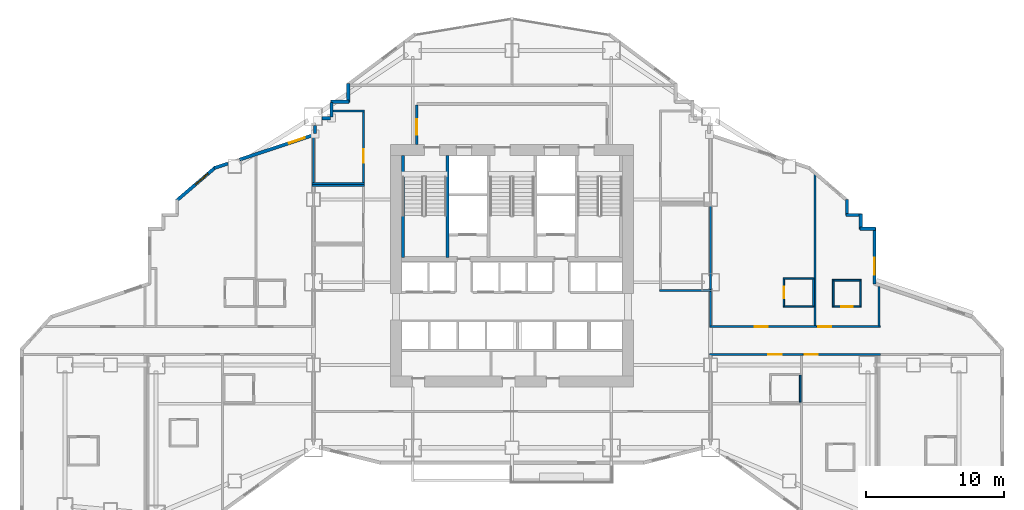
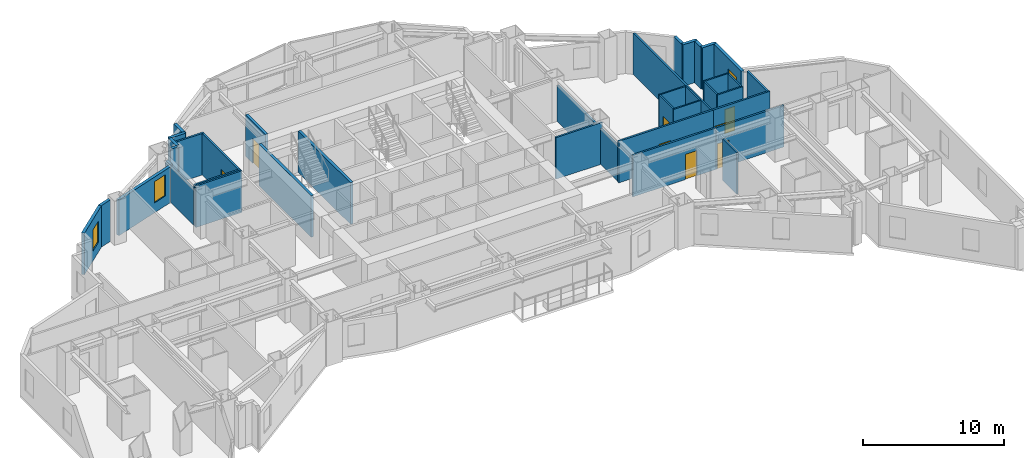
# One storey, part 10 of 17: 39 walls, 8 doors, 3 windows, 11 openings.
"""IFC4 building model written with IfcOpenShell, lengths in metres."""

from ifc_helpers import new_model, si_unit, direction, frame, frame_2d, origin, place, context, subcontext, project, spatial, rectangle, extrude, material, layer, layer_set, type_object, element, fill, save


model = new_model("IFC4")

# Units and contexts
model_context = context("Model", 3, precision=1e-05, world=origin(), true_north=direction((0.0, 1.0)))
body_context = subcontext(model_context, "Body", "Model", "MODEL_VIEW")
ifc_project = project(units=[si_unit("LENGTHUNIT", "METRE"), si_unit("AREAUNIT", "SQUARE_METRE"), si_unit("VOLUMEUNIT", "CUBIC_METRE"), si_unit("PLANEANGLEUNIT", "RADIAN"), si_unit("MASSUNIT", "GRAM", prefix="KILO")], contexts=[model_context])

# Site, building, storey
site_placement = place(None, origin())
site = spatial("IfcSite", under=ifc_project, at=site_placement, CompositionType="ELEMENT")
building_placement = place(site_placement, origin())
building = spatial("IfcBuilding", under=site, at=building_placement, Name="Haolan Belvedere Tower", CompositionType="ELEMENT")
storey_placement = place(building_placement, frame((0.0, 0.0, 35.39990234375)))
storey = spatial("IfcBuildingStorey", under=building, at=storey_placement, Name="L08", CompositionType="ELEMENT", Elevation=35.39990234375)

# Wall, opening, window
ifc_material_1 = material(Name="Precast concrete C40/50", Category="concrete")
ifc_layer_1 = layer(ifc_material_1, 0.239990234375, Name="Precast concrete C40/50")
ifc_layer_set_1 = layer_set([ifc_layer_1], Name="Precast concrete C40/50")
wall_type_1 = type_object("IfcWallType", Name="WL-EXT-240", PredefinedType="SOLIDWALL", material=ifc_layer_set_1)
wall_1_placement = place(storey_placement, frame((64.679931640625, 33.458984375, 0.0), z_axis=(0.0, 0.0, 1.0), x_axis=(0.0, 1.0, 0.0)))
wall_1 = element("IfcWall", 1, at=wall_1_placement, inside=storey, type_object=wall_type_1, Name="L08 pale-metal exterior spandrel wall 29.1", PredefinedType="SOLIDWALL", context=body_context, shape_type="SweptSolid", body=[
    extrude(rectangle(XDim=4.075927734375, YDim=0.239990234375, at=frame_2d((2.0380859375, 0.0))), origin(), (0.0, 0.0, 1.0), 3.60009765625),
])
opening_1_placement = place(wall_1_placement, frame((0.699951171875, 0.0, 0.85009765625)))
opening_1 = element("IfcOpeningElement", 2, at=opening_1_placement, cuts=wall_1, Name="Opening W-01", PredefinedType="OPENING", context=body_context, shape_type="SweptSolid", body=[
    extrude(rectangle(XDim=1.199951171875, YDim=1.85009765625, at=frame_2d((0.60009765625, 0.925048828125))), frame((0.0, 0.1298828125, 0.0), z_axis=(0.0, -1.0, 0.0), x_axis=(1.0, 0.0, 0.0)), (0.0, 0.0, 1.0), 0.260009765625),
])
ifc_material_2 = material(Name="Anodised aluminium 6063-T6 and Low-E glass", Category="aluminium")
window_type = type_object("IfcWindowType", Name="WN-DECO-Z1", PartitioningType="SINGLE_PANEL", PredefinedType="WINDOW", material=ifc_material_2)
window_1_placement = place(opening_1_placement, origin())
window_1 = element("IfcWindow", 3, at=window_1_placement, inside=storey, type_object=window_type, Name="L08 Art Deco chevron window 1", OverallHeight=1.85009765625, OverallWidth=1.199951171875, PartitioningType="SINGLE_PANEL", PredefinedType="WINDOW", context=body_context, shape_type="SweptSolid", body=[
    extrude(rectangle(XDim=1.199951171875, YDim=1.85009765625, at=frame_2d((0.60009765625, 0.925048828125))), frame((0.0, 0.030029296875, 0.0), z_axis=(0.0, -1.0, 0.0), x_axis=(1.0, 0.0, 0.0)), (0.0, 0.0, 1.0), 0.06005859375),
])
fill(opening_1, window_1)

# Walls
wall_2_placement = place(storey_placement, frame((64.735107421875, 37.47998046875, 0.0), z_axis=(0.0, 0.0, 1.0), x_axis=(-1.0, 0.0, 0.0)))
element("IfcWall", 4, at=wall_2_placement, inside=storey, type_object=wall_type_1, Name="L08 pale-metal exterior spandrel wall 30.1", PredefinedType="SOLIDWALL", context=body_context, shape_type="SweptSolid", body=[
    extrude(rectangle(XDim=1.110107421875, YDim=0.239990234375, at=frame_2d((0.55517578125, 0.0))), origin(), (0.0, 0.0, 1.0), 3.60009765625),
])
wall_3_placement = place(storey_placement, frame((63.679931640625, 37.425048828125, 0.0), z_axis=(0.0, 0.0, 1.0), x_axis=(0.0, 1.0, 0.0)))
element("IfcWall", 5, at=wall_3_placement, inside=storey, type_object=wall_type_1, Name="L08 pale-metal exterior spandrel wall 31.1", PredefinedType="SOLIDWALL", context=body_context, shape_type="SweptSolid", body=[
    extrude(rectangle(XDim=1.10986328125, YDim=0.239990234375, at=frame_2d((0.554931640625, 0.0))), origin(), (0.0, 0.0, 1.0), 3.60009765625),
])
wall_4_placement = place(storey_placement, frame((63.735107421875, 38.47998046875, 0.0), z_axis=(0.0, 0.0, 1.0), x_axis=(-1.0, 0.0, 0.0)))
element("IfcWall", 6, at=wall_4_placement, inside=storey, type_object=wall_type_1, Name="L08 pale-metal exterior spandrel wall 32.1", PredefinedType="SOLIDWALL", context=body_context, shape_type="SweptSolid", body=[
    extrude(rectangle(XDim=1.110107421875, YDim=0.239990234375, at=frame_2d((0.55517578125, 0.0))), origin(), (0.0, 0.0, 1.0), 3.60009765625),
])
wall_5_placement = place(storey_placement, frame((62.679931640625, 38.425048828125, 0.0), z_axis=(0.0, 0.0, 1.0), x_axis=(0.0, 1.0, 0.0)))
element("IfcWall", 7, at=wall_5_placement, inside=storey, type_object=wall_type_1, Name="L08 pale-metal exterior spandrel wall 33.1", PredefinedType="SOLIDWALL", context=body_context, shape_type="SweptSolid", body=[
    extrude(rectangle(XDim=1.1748046875, YDim=0.239990234375, at=frame_2d((0.58740234375, 0.0))), origin(), (0.0, 0.0, 1.0), 3.60009765625),
])
wall_6_placement = place(storey_placement, frame((26.52001953125, 47.9951171875, 0.0), z_axis=(0.0, 0.0, 1.0), x_axis=(0.0, -1.0, 0.0)))
element("IfcWall", 8, at=wall_6_placement, inside=storey, type_object=wall_type_1, Name="L08 pale-metal exterior spandrel wall 45.1", PredefinedType="SOLIDWALL", context=body_context, shape_type="SweptSolid", body=[
    extrude(rectangle(XDim=1.3701171875, YDim=0.239990234375, at=frame_2d((0.68505859375, 0.0))), origin(), (0.0, 0.0, 1.0), 3.60009765625),
])
wall_7_placement = place(storey_placement, frame((26.574951171875, 46.679931640625, 0.0), z_axis=(0.0, 0.0, 1.0), x_axis=(-1.0, 0.0, 0.0)))
element("IfcWall", 9, at=wall_7_placement, inside=storey, type_object=wall_type_1, Name="L08 pale-metal exterior spandrel wall 46.1", PredefinedType="SOLIDWALL", context=body_context, shape_type="SweptSolid", body=[
    extrude(rectangle(XDim=1.31005859375, YDim=0.239990234375, at=frame_2d((0.655029296875, 0.0))), origin(), (0.0, 0.0, 1.0), 3.60009765625),
])
wall_8_placement = place(storey_placement, frame((25.320068359375, 46.614990234375, 0.0), z_axis=(0.0, 0.0, 1.0), x_axis=(0.0, -1.0, 0.0)))
element("IfcWall", 10, at=wall_8_placement, inside=storey, type_object=wall_type_1, Name="L08 pale-metal exterior spandrel wall 47.1", PredefinedType="SOLIDWALL", context=body_context, shape_type="SweptSolid", body=[
    extrude(rectangle(XDim=1.050048828125, YDim=0.239990234375, at=frame_2d((0.52490234375, 0.0))), origin(), (0.0, 0.0, 1.0), 3.60009765625),
])
wall_9_placement = place(storey_placement, frame((25.235107421875, 45.47998046875, 0.0), z_axis=(0.0, 0.0, 1.0), x_axis=(-1.0, 0.0, 0.0)))
element("IfcWall", 11, at=wall_9_placement, inside=storey, type_object=wall_type_1, Name="L08 pale-metal exterior spandrel wall 48.1", PredefinedType="SOLIDWALL", context=body_context, shape_type="SweptSolid", body=[
    extrude(rectangle(XDim=0.593017578125, YDim=0.239990234375, at=frame_2d((0.29638671875, 0.0))), origin(), (0.0, 0.0, 1.0), 3.60009765625),
])
wall_10_placement = place(storey_placement, frame((24.1201171875, 44.9580078125, 0.0), z_axis=(0.0, 0.0, 1.0), x_axis=(0.0, -1.0, 0.0)))
element("IfcWall", 12, at=wall_10_placement, inside=storey, type_object=wall_type_1, Name="L08 pale-metal exterior spandrel wall 49.1", PredefinedType="SOLIDWALL", context=body_context, shape_type="SweptSolid", body=[
    extrude(rectangle(XDim=0.5595703125, YDim=0.239990234375, at=frame_2d((0.27978515625, 0.0))), origin(), (0.0, 0.0, 1.0), 3.09716796875),
])

# Wall, opening, window
wall_11_placement = place(storey_placement, frame((24.039306640625, 44.28662109375, 0.0), z_axis=(0.0, 0.0, 1.0), x_axis=(-0.948678995954, -0.316240672014, 0.0)))
wall_11 = element("IfcWall", 13, at=wall_11_placement, inside=storey, type_object=wall_type_1, Name="L08 pale-metal exterior spandrel wall 50.1", PredefinedType="SOLIDWALL", context=body_context, shape_type="SweptSolid", body=[
    extrude(rectangle(XDim=5.675048828125, YDim=0.239990234375, at=frame_2d((2.83740234375, 0.0))), origin(), (0.0, 0.0, 1.0), 3.09716796875),
])
opening_2_placement = place(wall_11_placement, frame((0.699951171875, 0.0, 0.85009765625)))
opening_2 = element("IfcOpeningElement", 14, at=opening_2_placement, cuts=wall_11, Name="Opening W-01", PredefinedType="OPENING", context=body_context, shape_type="SweptSolid", body=[
    extrude(rectangle(XDim=1.199951171875, YDim=1.85009765625, at=frame_2d((0.60009765625, 0.925048828125))), frame((0.0, 0.1298828125, 0.0), z_axis=(0.0, -1.0, 0.0), x_axis=(1.0, 0.0, 0.0)), (0.0, 0.0, 1.0), 0.260009765625),
])
window_2_placement = place(opening_2_placement, origin())
window_2 = element("IfcWindow", 15, at=window_2_placement, inside=storey, type_object=window_type, Name="L08 Art Deco chevron window 1", OverallHeight=1.85009765625, OverallWidth=1.199951171875, PartitioningType="SINGLE_PANEL", PredefinedType="WINDOW", context=body_context, shape_type="SweptSolid", body=[
    extrude(rectangle(XDim=1.199951171875, YDim=1.85009765625, at=frame_2d((0.60009765625, 0.925048828125))), frame((0.0, 0.030029296875, 0.0), z_axis=(0.0, -1.0, 0.0), x_axis=(1.0, 0.0, 0.0)), (0.0, 0.0, 1.0), 0.06005859375),
])
fill(opening_2, window_2)

# Wall
wall_12_placement = place(storey_placement, frame((17.80810546875, 42.20947265625, 0.0), z_axis=(0.0, 0.0, 1.0), x_axis=(-0.948706457285, -0.316158279832, 0.0)))
element("IfcWall", 16, at=wall_12_placement, inside=storey, type_object=wall_type_1, Name="L08 pale-metal exterior spandrel wall 50.2", PredefinedType="SOLIDWALL", context=body_context, shape_type="SweptSolid", body=[
    extrude(rectangle(XDim=1.053955078125, YDim=0.239990234375, at=frame_2d((0.52685546875, 0.0))), origin(), (0.0, 0.0, 1.0), 3.60009765625),
])

# Wall, opening, window
wall_13_placement = place(storey_placement, frame((16.902099609375, 41.929443359375, 0.0), z_axis=(0.0, 0.0, 1.0), x_axis=(-0.759275136126, -0.650769750112, 0.0)))
wall_13 = element("IfcWall", 17, at=wall_13_placement, inside=storey, type_object=wall_type_1, Name="L08 pale-metal exterior spandrel wall 51.1", PredefinedType="SOLIDWALL", context=body_context, shape_type="SweptSolid", body=[
    extrude(rectangle(XDim=3.71923828125, YDim=0.239990234375, at=frame_2d((1.859619140625, 0.0))), origin(), (0.0, 0.0, 1.0), 3.60009765625),
])
opening_3_placement = place(wall_13_placement, frame((0.699951171875, 0.0, 0.85009765625)))
opening_3 = element("IfcOpeningElement", 18, at=opening_3_placement, cuts=wall_13, Name="Opening W-01", PredefinedType="OPENING", context=body_context, shape_type="SweptSolid", body=[
    extrude(rectangle(XDim=1.199951171875, YDim=1.85009765625, at=frame_2d((0.60009765625, 0.925048828125))), frame((0.0, 0.1298828125, 0.0), z_axis=(0.0, -1.0, 0.0), x_axis=(1.0, 0.0, 0.0)), (0.0, 0.0, 1.0), 0.260009765625),
])
window_3_placement = place(opening_3_placement, origin())
window_3 = element("IfcWindow", 19, at=window_3_placement, inside=storey, type_object=window_type, Name="L08 Art Deco chevron window 1", OverallHeight=1.85009765625, OverallWidth=1.199951171875, PartitioningType="SINGLE_PANEL", PredefinedType="WINDOW", context=body_context, shape_type="SweptSolid", body=[
    extrude(rectangle(XDim=1.199951171875, YDim=1.85009765625, at=frame_2d((0.60009765625, 0.925048828125))), frame((0.0, 0.030029296875, 0.0), z_axis=(0.0, -1.0, 0.0), x_axis=(1.0, 0.0, 0.0)), (0.0, 0.0, 1.0), 0.06005859375),
])
fill(opening_3, window_3)

# Wall, opening, door
ifc_material_3 = material(Name="Concrete C40/50", Category="concrete")
ifc_layer_2 = layer(ifc_material_3, 0.199951171875, Name="Concrete C40/50")
ifc_layer_set_2 = layer_set([ifc_layer_2], Name="Concrete C40/50")
wall_type_2 = type_object("IfcWallType", Name="WL-FIRE-200", PredefinedType="SOLIDWALL", material=ifc_layer_set_2)
wall_14_placement = place(storey_placement, frame((31.5, 43.60009765625, 0.0), z_axis=(0.0, 0.0, 1.0), x_axis=(0.0, 1.0, 0.0)))
wall_14 = element("IfcWall", 20, at=wall_14_placement, inside=storey, type_object=wall_type_2, Name="L08 interior partition IW-L08-FFL-W", PredefinedType="SOLIDWALL", context=body_context, shape_type="SweptSolid", body=[
    extrude(rectangle(XDim=2.8349609375, YDim=0.199951171875, at=frame_2d((1.41748046875, 0.0))), origin(), (0.0, 0.0, 1.0), 3.60009765625),
])
opening_4_placement = place(wall_14_placement, frame((1.800048828125, 0.0, 0.0), z_axis=(0.0, 0.0, 1.0), x_axis=(-1.0, 0.0, 0.0)))
opening_4 = element("IfcOpeningElement", 21, at=opening_4_placement, cuts=wall_14, Name="Opening FD-03", PredefinedType="OPENING", context=body_context, shape_type="SweptSolid", body=[
    extrude(rectangle(XDim=1.10009765625, YDim=2.14990234375, at=frame_2d((0.550048828125, 1.074951171875))), frame((0.0, 0.10986328125, 0.0), z_axis=(0.0, -1.0, 0.0), x_axis=(1.0, 0.0, 0.0)), (0.0, 0.0, 1.0), 0.219970703125),
])
ifc_material_4 = material(Name="Galvanised fire-rated steel", Category="steel")
door_type_1 = type_object("IfcDoorType", Name="DR-FD90-1100", OperationType="NOTDEFINED", PredefinedType="DOOR", material=ifc_material_4)
door_1_placement = place(opening_4_placement, origin())
door_1 = element("IfcDoor", 22, at=door_1_placement, inside=storey, type_object=door_type_1, Name="L08 door ID-L08-FFL-DW", OperationType="SINGLE_SWING_LEFT", OverallHeight=2.14990234375, OverallWidth=1.10009765625, PredefinedType="DOOR", context=body_context, shape_type="SweptSolid", body=[
    extrude(rectangle(XDim=1.10009765625, YDim=2.14990234375, at=frame_2d((0.550048828125, 1.074951171875))), frame((0.0, 0.02490234375, 0.0), z_axis=(0.0, -1.0, 0.0), x_axis=(1.0, 0.0, 0.0)), (0.0, 0.0, 1.0), 0.050048828125),
])
fill(opening_4, door_1)

# Walls
ifc_material_5 = material(Name="Double gypsum acoustic stud partition", Category="masonry")
ifc_layer_3 = layer(ifc_material_5, 0.14990234375, Name="Double gypsum acoustic stud partition")
ifc_layer_set_3 = layer_set([ifc_layer_3], Name="Double gypsum acoustic stud partition")
wall_type_3 = type_object("IfcWallType", Name="WL-PART-150", PredefinedType="PARTITIONING", material=ifc_layer_set_3)
wall_15_placement = place(storey_placement, frame((23.919921875, 40.60009765625, 0.0), z_axis=(0.0, 0.0, 1.0), x_axis=(1.0, 0.0, 0.0)))
element("IfcWall", 23, at=wall_15_placement, inside=storey, type_object=wall_type_3, Name="L08 interior partition IW-L08-PNT-N", PredefinedType="PARTITIONING", context=body_context, shape_type="SweptSolid", body=[
    extrude(rectangle(XDim=3.800048828125, YDim=0.14990234375, at=frame_2d((1.89990234375, 0.0))), origin(), (0.0, 0.0, 1.0), 3.60009765625),
])
wall_16_placement = place(storey_placement, frame((25.425048828125, 46.02001953125, 0.0), z_axis=(0.0, 0.0, 1.0), x_axis=(1.0, 0.0, 0.0)))
element("IfcWall", 24, at=wall_16_placement, inside=storey, type_object=wall_type_3, Name="L08 interior partition IW-L08-STY-N", PredefinedType="PARTITIONING", context=body_context, shape_type="SweptSolid", body=[
    extrude(rectangle(XDim=2.294921875, YDim=0.14990234375, at=frame_2d((1.1474609375, 0.0))), origin(), (0.0, 0.0, 1.0), 3.60009765625),
])
wall_17_placement = place(storey_placement, frame((23.919921875, 40.760009765625, 0.0), z_axis=(0.0, 0.0, 1.0), x_axis=(1.0, 0.0, 0.0)))
element("IfcWall", 25, at=wall_17_placement, inside=storey, type_object=wall_type_3, Name="L08 interior partition IW-L08-STY-S", PredefinedType="PARTITIONING", context=body_context, shape_type="SweptSolid", body=[
    extrude(rectangle(XDim=3.800048828125, YDim=0.14990234375, at=frame_2d((1.89990234375, 0.0))), origin(), (0.0, 0.0, 1.0), 3.60009765625),
])
wall_18_placement = place(storey_placement, frame((24.0, 40.820068359375, 0.0), z_axis=(0.0, 0.0, 1.0), x_axis=(0.0, 1.0, 0.0)))
element("IfcWall", 26, at=wall_18_placement, inside=storey, type_object=wall_type_3, Name="L08 interior partition IW-L08-STY-W", PredefinedType="PARTITIONING", context=body_context, shape_type="SweptSolid", body=[
    extrude(rectangle(XDim=3.3427734375, YDim=0.14990234375, at=frame_2d((1.67138671875, 0.0))), origin(), (0.0, 0.0, 1.0), 3.09716796875),
])

# Wall, opening, door
wall_19_placement = place(storey_placement, frame((27.639892578125, 40.820068359375, 0.0), z_axis=(0.0, 0.0, 1.0), x_axis=(0.0, 1.0, 0.0)))
wall_19 = element("IfcWall", 27, at=wall_19_placement, inside=storey, type_object=wall_type_3, Name="L08 interior partition IW-L08-STY-E", PredefinedType="PARTITIONING", context=body_context, shape_type="SweptSolid", body=[
    extrude(rectangle(XDim=5.139892578125, YDim=0.14990234375, at=frame_2d((2.56982421875, 0.0))), origin(), (0.0, 0.0, 1.0), 3.60009765625),
])
opening_5_placement = place(wall_19_placement, frame((2.409912109375, 0.0, 0.0), z_axis=(0.0, 0.0, 1.0), x_axis=(-1.0, 0.0, 0.0)))
opening_5 = element("IfcOpeningElement", 28, at=opening_5_placement, cuts=wall_19, Name="Opening ID-03", PredefinedType="OPENING", context=body_context, shape_type="SweptSolid", body=[
    extrude(rectangle(XDim=0.949951171875, YDim=2.1201171875, at=frame_2d((0.47509765625, 1.06005859375))), frame((0.0, 0.0849609375, 0.0), z_axis=(0.0, -1.0, 0.0), x_axis=(1.0, 0.0, 0.0)), (0.0, 0.0, 1.0), 0.169921875),
])
ifc_material_6 = material(Name="Painted solid-core timber", Category="wood")
door_type_2 = type_object("IfcDoorType", Name="DR-INT-950", OperationType="NOTDEFINED", PredefinedType="DOOR", material=ifc_material_6)
door_2_placement = place(opening_5_placement, origin())
door_2 = element("IfcDoor", 29, at=door_2_placement, inside=storey, type_object=door_type_2, Name="L08 door ID-L08-STY", OperationType="SINGLE_SWING_LEFT", OverallHeight=2.1201171875, OverallWidth=0.949951171875, PredefinedType="DOOR", context=body_context, shape_type="SweptSolid", body=[
    extrude(rectangle(XDim=0.949951171875, YDim=2.1201171875, at=frame_2d((0.47509765625, 1.06005859375))), frame((0.0, 0.02490234375, 0.0), z_axis=(0.0, -1.0, 0.0), x_axis=(1.0, 0.0, 0.0)), (0.0, 0.0, 1.0), 0.050048828125),
])
fill(opening_5, door_2)

# Walls
wall_20_placement = place(storey_placement, frame((49.080078125, 33.0, 0.0), z_axis=(0.0, 0.0, 1.0), x_axis=(1.0, 0.0, 0.0)))
element("IfcWall", 30, at=wall_20_placement, inside=storey, type_object=wall_type_3, Name="L08 interior partition IW-L08-HSK-S", PredefinedType="PARTITIONING", context=body_context, shape_type="SweptSolid", body=[
    extrude(rectangle(XDim=3.7998046875, YDim=0.14990234375, at=frame_2d((1.89990234375, 0.0))), origin(), (0.0, 0.0, 1.0), 3.60009765625),
])
wall_21_placement = place(storey_placement, frame((52.800048828125, 33.06005859375, 0.0), z_axis=(0.0, 0.0, 1.0), x_axis=(0.0, 1.0, 0.0)))
element("IfcWall", 31, at=wall_21_placement, inside=storey, type_object=wall_type_3, Name="L08 interior partition IW-L08-HSK-E", PredefinedType="PARTITIONING", context=body_context, shape_type="SweptSolid", body=[
    extrude(rectangle(XDim=6.079833984375, YDim=0.14990234375, at=frame_2d((3.0400390625, 0.0))), origin(), (0.0, 0.0, 1.0), 3.09716796875),
])

# Wall, opening, door
wall_22_placement = place(storey_placement, frame((52.699951171875, 30.3798828125, 0.0), z_axis=(0.0, 0.0, 1.0), x_axis=(1.0, 0.0, 0.0)))
wall_22 = element("IfcWall", 32, at=wall_22_placement, inside=storey, type_object=wall_type_3, Name="L08 interior partition IW-L08-T4N1-S", PredefinedType="PARTITIONING", context=body_context, shape_type="SweptSolid", body=[
    extrude(rectangle(XDim=7.760009765625, YDim=0.14990234375, at=frame_2d((3.8798828125, 0.0))), origin(), (0.0, 0.0, 1.0), 3.60009765625),
])
opening_6_placement = place(wall_22_placement, frame((3.293701171875, 0.0, 0.0)))
opening_6 = element("IfcOpeningElement", 33, at=opening_6_placement, cuts=wall_22, Name="Opening ID-01", PredefinedType="OPENING", context=body_context, shape_type="SweptSolid", body=[
    extrude(rectangle(XDim=0.949951171875, YDim=2.179931640625, at=frame_2d((0.47509765625, 1.08984375))), frame((0.0, 0.0849609375, 0.0), z_axis=(0.0, -1.0, 0.0), x_axis=(1.0, 0.0, 0.0)), (0.0, 0.0, 1.0), 0.169921875),
])
ifc_material_7 = material(Name="Acoustic walnut veneer fire-rated timber", Category="wood")
door_type_3 = type_object("IfcDoorType", Name="DR-SUITE-950", OperationType="NOTDEFINED", PredefinedType="DOOR", material=ifc_material_7)
door_3_placement = place(opening_6_placement, origin())
door_3 = element("IfcDoor", 34, at=door_3_placement, inside=storey, type_object=door_type_3, Name="L08 door ID-L08-T4N1-ENT", OperationType="SINGLE_SWING_LEFT", OverallHeight=2.179931640625, OverallWidth=0.949951171875, PredefinedType="DOOR", context=body_context, shape_type="SweptSolid", body=[
    extrude(rectangle(XDim=0.949951171875, YDim=2.179931640625, at=frame_2d((0.47509765625, 1.08984375))), frame((0.0, 0.02490234375, 0.0), z_axis=(0.0, -1.0, 0.0), x_axis=(1.0, 0.0, 0.0)), (0.0, 0.0, 1.0), 0.050048828125),
])
fill(opening_6, door_3)

# Walls
wall_23_placement = place(storey_placement, frame((52.800048828125, 30.43994140625, 0.0), z_axis=(0.0, 0.0, 1.0), x_axis=(0.0, 1.0, 0.0)))
element("IfcWall", 35, at=wall_23_placement, inside=storey, type_object=wall_type_3, Name="L08 interior partition IW-L08-T4N1-W", PredefinedType="PARTITIONING", context=body_context, shape_type="SweptSolid", body=[
    extrude(rectangle(XDim=2.5, YDim=0.14990234375, at=frame_2d((1.25, 0.0))), origin(), (0.0, 0.0, 1.0), 3.09716796875),
])
wall_24_placement = place(storey_placement, frame((60.360107421875, 30.43994140625, 0.0), z_axis=(0.0, 0.0, 1.0), x_axis=(0.0, 1.0, 0.0)))
element("IfcWall", 36, at=wall_24_placement, inside=storey, type_object=wall_type_3, Name="L08 interior partition IW-L08-T4N1-E", PredefinedType="PARTITIONING", context=body_context, shape_type="SweptSolid", body=[
    extrude(rectangle(XDim=10.955078125, YDim=0.14990234375, at=frame_2d((5.4775390625, 0.0))), origin(), (0.0, 0.0, 1.0), 3.60009765625),
])

# Wall, opening, door
wall_25_placement = place(storey_placement, frame((60.4619140625, 30.3798828125, 0.0), z_axis=(0.0, 0.0, 1.0), x_axis=(1.0, 0.0, 0.0)))
wall_25 = element("IfcWall", 37, at=wall_25_placement, inside=storey, type_object=wall_type_3, Name="L08 interior partition IW-L08-T4N2-S", PredefinedType="PARTITIONING", context=body_context, shape_type="SweptSolid", body=[
    extrude(rectangle(XDim=4.63818359375, YDim=0.14990234375, at=frame_2d((2.319091796875, 0.0))), origin(), (0.0, 0.0, 1.0), 3.60009765625),
])
opening_7_placement = place(wall_25_placement, frame((0.139892578125, 0.0, 0.0)))
opening_7 = element("IfcOpeningElement", 38, at=opening_7_placement, cuts=wall_25, Name="Opening ID-02", PredefinedType="OPENING", context=body_context, shape_type="SweptSolid", body=[
    extrude(rectangle(XDim=0.949951171875, YDim=2.14990234375, at=frame_2d((0.47509765625, 1.074951171875))), frame((0.0, 0.0849609375, 0.0), z_axis=(0.0, -1.0, 0.0), x_axis=(1.0, 0.0, 0.0)), (0.0, 0.0, 1.0), 0.169921875),
])
ifc_material_8 = material(Name="Acoustic oak veneer fire-rated timber", Category="wood")
door_type_4 = type_object("IfcDoorType", Name="DR-GUEST-950", OperationType="NOTDEFINED", PredefinedType="DOOR", material=ifc_material_8)
door_4_placement = place(opening_7_placement, origin())
door_4 = element("IfcDoor", 39, at=door_4_placement, inside=storey, type_object=door_type_4, Name="L08 door ID-L08-T4N2-ENT", OperationType="SINGLE_SWING_RIGHT", OverallHeight=2.14990234375, OverallWidth=0.949951171875, PredefinedType="DOOR", context=body_context, shape_type="SweptSolid", body=[
    extrude(rectangle(XDim=0.949951171875, YDim=2.14990234375, at=frame_2d((0.47509765625, 1.074951171875))), frame((0.0, 0.02490234375, 0.0), z_axis=(0.0, -1.0, 0.0), x_axis=(1.0, 0.0, 0.0)), (0.0, 0.0, 1.0), 0.050048828125),
])
fill(opening_7, door_4)

# Wall
wall_26_placement = place(storey_placement, frame((65.0, 30.43994140625, 0.0), z_axis=(0.0, 0.0, 1.0), x_axis=(0.0, 1.0, 0.0)))
element("IfcWall", 40, at=wall_26_placement, inside=storey, type_object=wall_type_3, Name="L08 interior partition IW-L08-T4N2-E", PredefinedType="PARTITIONING", context=body_context, shape_type="SweptSolid", body=[
    extrude(rectangle(XDim=2.854248046875, YDim=0.14990234375, at=frame_2d((1.42724609375, 0.0))), origin(), (0.0, 0.0, 1.0), 3.60009765625),
])

# Wall, opening, door
wall_27_placement = place(storey_placement, frame((52.699951171875, 28.3701171875, 0.0), z_axis=(0.0, 0.0, 1.0), x_axis=(1.0, 0.0, 0.0)))
wall_27 = element("IfcWall", 41, at=wall_27_placement, inside=storey, type_object=wall_type_3, Name="L08 interior partition IW-L08-T4S1-N", PredefinedType="PARTITIONING", context=body_context, shape_type="SweptSolid", body=[
    extrude(rectangle(XDim=6.7900390625, YDim=0.14990234375, at=frame_2d((3.39501953125, 0.0))), origin(), (0.0, 0.0, 1.0), 3.60009765625),
])
opening_8_placement = place(wall_27_placement, frame((5.239990234375, 0.0, 0.0), z_axis=(0.0, 0.0, 1.0), x_axis=(-1.0, 0.0, 0.0)))
opening_8 = element("IfcOpeningElement", 42, at=opening_8_placement, cuts=wall_27, Name="Opening ID-01", PredefinedType="OPENING", context=body_context, shape_type="SweptSolid", body=[
    extrude(rectangle(XDim=0.949951171875, YDim=2.179931640625, at=frame_2d((0.47509765625, 1.08984375))), frame((0.0, 0.0849609375, 0.0), z_axis=(0.0, -1.0, 0.0), x_axis=(1.0, 0.0, 0.0)), (0.0, 0.0, 1.0), 0.169921875),
])
door_5_placement = place(opening_8_placement, origin())
door_5 = element("IfcDoor", 43, at=door_5_placement, inside=storey, type_object=door_type_3, Name="L08 door ID-L08-T4S1-ENT", OperationType="SINGLE_SWING_LEFT", OverallHeight=2.179931640625, OverallWidth=0.949951171875, PredefinedType="DOOR", context=body_context, shape_type="SweptSolid", body=[
    extrude(rectangle(XDim=0.949951171875, YDim=2.179931640625, at=frame_2d((0.47509765625, 1.08984375))), frame((0.0, 0.02490234375, 0.0), z_axis=(0.0, -1.0, 0.0), x_axis=(1.0, 0.0, 0.0)), (0.0, 0.0, 1.0), 0.050048828125),
])
fill(opening_8, door_5)

wall_28_placement = place(storey_placement, frame((59.491943359375, 28.3701171875, 0.0), z_axis=(0.0, 0.0, 1.0), x_axis=(1.0, 0.0, 0.0)))
wall_28 = element("IfcWall", 44, at=wall_28_placement, inside=storey, type_object=wall_type_3, Name="L08 interior partition IW-L08-T4S2-N", PredefinedType="PARTITIONING", context=body_context, shape_type="SweptSolid", body=[
    extrude(rectangle(XDim=5.608154296875, YDim=0.14990234375, at=frame_2d((2.80419921875, 0.0))), origin(), (0.0, 0.0, 1.0), 3.60009765625),
])
opening_9_placement = place(wall_28_placement, frame((1.08984375, 0.0, 0.0), z_axis=(0.0, 0.0, 1.0), x_axis=(-1.0, 0.0, 0.0)))
opening_9 = element("IfcOpeningElement", 45, at=opening_9_placement, cuts=wall_28, Name="Opening ID-01", PredefinedType="OPENING", context=body_context, shape_type="SweptSolid", body=[
    extrude(rectangle(XDim=0.949951171875, YDim=2.179931640625, at=frame_2d((0.47509765625, 1.08984375))), frame((0.0, 0.0849609375, 0.0), z_axis=(0.0, -1.0, 0.0), x_axis=(1.0, 0.0, 0.0)), (0.0, 0.0, 1.0), 0.169921875),
])
door_6_placement = place(opening_9_placement, origin())
door_6 = element("IfcDoor", 46, at=door_6_placement, inside=storey, type_object=door_type_3, Name="L08 door ID-L08-T4S2-ENT", OperationType="SINGLE_SWING_RIGHT", OverallHeight=2.179931640625, OverallWidth=0.949951171875, PredefinedType="DOOR", context=body_context, shape_type="SweptSolid", body=[
    extrude(rectangle(XDim=0.949951171875, YDim=2.179931640625, at=frame_2d((0.47509765625, 1.08984375))), frame((0.0, 0.02490234375, 0.0), z_axis=(0.0, -1.0, 0.0), x_axis=(1.0, 0.0, 0.0)), (0.0, 0.0, 1.0), 0.050048828125),
])
fill(opening_9, door_6)

# Walls
ifc_material_9 = material(Name="Concrete C50/60", Category="concrete")
ifc_layer_4 = layer(ifc_material_9, 0.219970703125, Name="Concrete C50/60")
ifc_layer_set_4 = layer_set([ifc_layer_4], Name="Concrete C50/60")
wall_type_4 = type_object("IfcWallType", Name="WL-STAIR-220", PredefinedType="SHEAR", material=ifc_layer_set_4)
for number, where, z_axis, x_axis, name in (
    (47, (30.511962890625, 35.389892578125, 0.0), (0.0, 0.0, 1.0), (0.0, 1.0, 0.0), "L08 structural stair core wall ST1W"),
    (48, (33.739990234375, 35.389892578125, 0.0), (0.0, 0.0, 1.0), (0.0, 1.0, 0.0), "L08 structural stair core wall ST1E"),
):
    element("IfcWall", number, at=place(storey_placement, frame(where, z_axis=z_axis, x_axis=x_axis)), inside=storey, type_object=wall_type_4, Name=name, PredefinedType="SHEAR", context=body_context, shape_type="SweptSolid", body=[
        extrude(rectangle(XDim=7.41015625, YDim=0.219970703125, at=frame_2d((3.705078125, 0.0))), origin(), (0.0, 0.0, 1.0), 3.60009765625),
    ])
ifc_material_10 = material(Name="Moisture-resistant gypsum tile partition", Category="masonry")
ifc_layer_5 = layer(ifc_material_10, 0.1201171875, Name="Moisture-resistant gypsum tile partition")
ifc_layer_set_5 = layer_set([ifc_layer_5], Name="Moisture-resistant gypsum tile partition")
wall_type_5 = type_object("IfcWallType", Name="WL-WET-120", PredefinedType="PARTITIONING", material=ifc_layer_set_5)
for number, where, z_axis, x_axis, name in (
    (49, (58.050048828125, 33.8798828125, 0.0), (0.0, 0.0, 1.0), (1.0, 0.0, 0.0), "L08 interior partition IW-L08-T4N1-BN"),
    (50, (58.050048828125, 31.830078125, 0.0), (0.0, 0.0, 1.0), (1.0, 0.0, 0.0), "L08 interior partition IW-L08-T4N1-BS"),
):
    element("IfcWall", number, at=place(storey_placement, frame(where, z_axis=z_axis, x_axis=x_axis)), inside=storey, type_object=wall_type_5, Name=name, PredefinedType="PARTITIONING", context=body_context, shape_type="SweptSolid", body=[
        extrude(rectangle(XDim=2.25, YDim=0.1201171875, at=frame_2d((1.125, 0.0))), origin(), (0.0, 0.0, 1.0), 3.60009765625),
    ])

# Wall, opening, door
wall_29_placement = place(storey_placement, frame((58.110107421875, 31.875, 0.0), z_axis=(0.0, 0.0, 1.0), x_axis=(0.0, 1.0, 0.0)))
wall_29 = element("IfcWall", 51, at=wall_29_placement, inside=storey, type_object=wall_type_5, Name="L08 interior partition IW-L08-T4N1-BW", PredefinedType="PARTITIONING", context=body_context, shape_type="SweptSolid", body=[
    extrude(rectangle(XDim=1.9599609375, YDim=0.1201171875, at=frame_2d((0.97998046875, 0.0))), origin(), (0.0, 0.0, 1.0), 3.60009765625),
])
opening_10_placement = place(wall_29_placement, frame((1.405029296875, 0.0, 0.0), z_axis=(0.0, 0.0, 1.0), x_axis=(-1.0, 0.0, 0.0)))
opening_10 = element("IfcOpeningElement", 52, at=opening_10_placement, cuts=wall_29, Name="Opening ID-05", PredefinedType="OPENING", context=body_context, shape_type="SweptSolid", body=[
    extrude(rectangle(XDim=0.85009765625, YDim=2.10009765625, at=frame_2d((0.425048828125, 1.050048828125))), frame((0.0, 0.070068359375, 0.0), z_axis=(0.0, -1.0, 0.0), x_axis=(1.0, 0.0, 0.0)), (0.0, 0.0, 1.0), 0.14013671875),
])
ifc_material_11 = material(Name="Moisture-resistant lacquered timber", Category="wood")
door_type_5 = type_object("IfcDoorType", Name="DR-BATH-850", OperationType="NOTDEFINED", PredefinedType="DOOR", material=ifc_material_11)
door_7_placement = place(opening_10_placement, origin())
door_7 = element("IfcDoor", 53, at=door_7_placement, inside=storey, type_object=door_type_5, Name="L08 door ID-L08-T4N1-BATH", OperationType="SINGLE_SWING_RIGHT", OverallHeight=2.10009765625, OverallWidth=0.85009765625, PredefinedType="DOOR", context=body_context, shape_type="SweptSolid", body=[
    extrude(rectangle(XDim=0.85009765625, YDim=2.10009765625, at=frame_2d((0.425048828125, 1.050048828125))), frame((0.0, 0.02490234375, 0.0), z_axis=(0.0, -1.0, 0.0), x_axis=(1.0, 0.0, 0.0)), (0.0, 0.0, 1.0), 0.050048828125),
])
fill(opening_10, door_7)

# Walls
wall_30_placement = place(storey_placement, frame((60.260009765625, 31.875, 0.0), z_axis=(0.0, 0.0, 1.0), x_axis=(0.0, 1.0, 0.0)))
element("IfcWall", 54, at=wall_30_placement, inside=storey, type_object=wall_type_5, Name="L08 interior partition IW-L08-T4N1-BE", PredefinedType="PARTITIONING", context=body_context, shape_type="SweptSolid", body=[
    extrude(rectangle(XDim=1.9599609375, YDim=0.1201171875, at=frame_2d((0.97998046875, 0.0))), origin(), (0.0, 0.0, 1.0), 3.60009765625),
])
wall_31_placement = place(storey_placement, frame((61.6298828125, 33.75, 0.0), z_axis=(0.0, 0.0, 1.0), x_axis=(1.0, 0.0, 0.0)))
element("IfcWall", 55, at=wall_31_placement, inside=storey, type_object=wall_type_5, Name="L08 interior partition IW-L08-T4N2-BN", PredefinedType="PARTITIONING", context=body_context, shape_type="SweptSolid", body=[
    extrude(rectangle(XDim=2.10009765625, YDim=0.1201171875, at=frame_2d((1.050048828125, 0.0))), origin(), (0.0, 0.0, 1.0), 3.60009765625),
])

# Wall, opening, door
wall_32_placement = place(storey_placement, frame((61.6298828125, 31.830078125, 0.0), z_axis=(0.0, 0.0, 1.0), x_axis=(1.0, 0.0, 0.0)))
wall_32 = element("IfcWall", 56, at=wall_32_placement, inside=storey, type_object=wall_type_5, Name="L08 interior partition IW-L08-T4N2-BS", PredefinedType="PARTITIONING", context=body_context, shape_type="SweptSolid", body=[
    extrude(rectangle(XDim=2.10009765625, YDim=0.1201171875, at=frame_2d((1.050048828125, 0.0))), origin(), (0.0, 0.0, 1.0), 3.60009765625),
])
opening_11_placement = place(wall_32_placement, frame((0.625, 0.0, 0.0)))
opening_11 = element("IfcOpeningElement", 57, at=opening_11_placement, cuts=wall_32, Name="Opening ID-05", PredefinedType="OPENING", context=body_context, shape_type="SweptSolid", body=[
    extrude(rectangle(XDim=0.85009765625, YDim=2.10009765625, at=frame_2d((0.425048828125, 1.050048828125))), frame((0.0, 0.070068359375, 0.0), z_axis=(0.0, -1.0, 0.0), x_axis=(1.0, 0.0, 0.0)), (0.0, 0.0, 1.0), 0.14013671875),
])
door_8_placement = place(opening_11_placement, origin())
door_8 = element("IfcDoor", 58, at=door_8_placement, inside=storey, type_object=door_type_5, Name="L08 door ID-L08-T4N2-BATH", OperationType="SINGLE_SWING_LEFT", OverallHeight=2.10009765625, OverallWidth=0.85009765625, PredefinedType="DOOR", context=body_context, shape_type="SweptSolid", body=[
    extrude(rectangle(XDim=0.85009765625, YDim=2.10009765625, at=frame_2d((0.425048828125, 1.050048828125))), frame((0.0, 0.02490234375, 0.0), z_axis=(0.0, -1.0, 0.0), x_axis=(1.0, 0.0, 0.0)), (0.0, 0.0, 1.0), 0.050048828125),
])
fill(opening_11, door_8)

# Walls
for number, where, z_axis, x_axis, name in (
    (59, (61.68994140625, 31.875, 0.0), (0.0, 0.0, 1.0), (0.0, 1.0, 0.0), "L08 interior partition IW-L08-T4N2-BW"),
    (60, (63.669921875, 31.875, 0.0), (0.0, 0.0, 1.0), (0.0, 1.0, 0.0), "L08 interior partition IW-L08-T4N2-BE"),
):
    element("IfcWall", number, at=place(storey_placement, frame(where, z_axis=z_axis, x_axis=x_axis)), inside=storey, type_object=wall_type_5, Name=name, PredefinedType="PARTITIONING", context=body_context, shape_type="SweptSolid", body=[
        extrude(rectangle(XDim=1.830078125, YDim=0.1201171875, at=frame_2d((0.9150390625, 0.0))), origin(), (0.0, 0.0, 1.0), 3.60009765625),
    ])
wall_33_placement = place(storey_placement, frame((59.2900390625, 24.9150390625, 0.0), z_axis=(0.0, 0.0, 1.0), x_axis=(0.0, 1.0, 0.0)))
element("IfcWall", 61, at=wall_33_placement, inside=storey, type_object=wall_type_5, Name="L08 interior partition IW-L08-T4S1-BE", PredefinedType="PARTITIONING", context=body_context, shape_type="SweptSolid", body=[
    extrude(rectangle(XDim=1.9599609375, YDim=0.1201171875, at=frame_2d((0.97998046875, 0.0))), origin(), (0.0, 0.0, 1.0), 3.60009765625),
])

save(model, "model.ifc")
